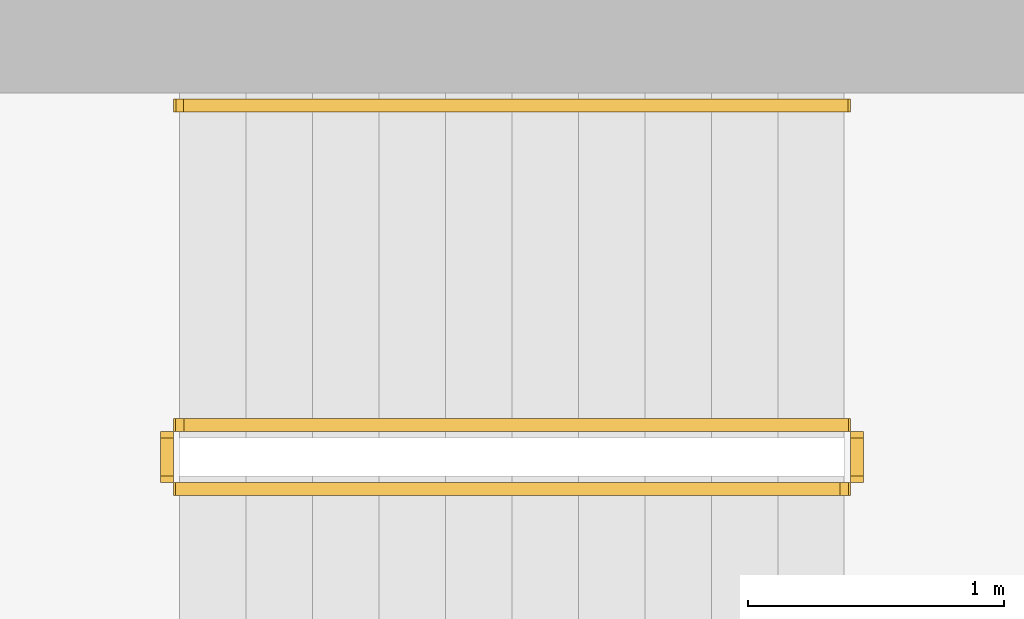
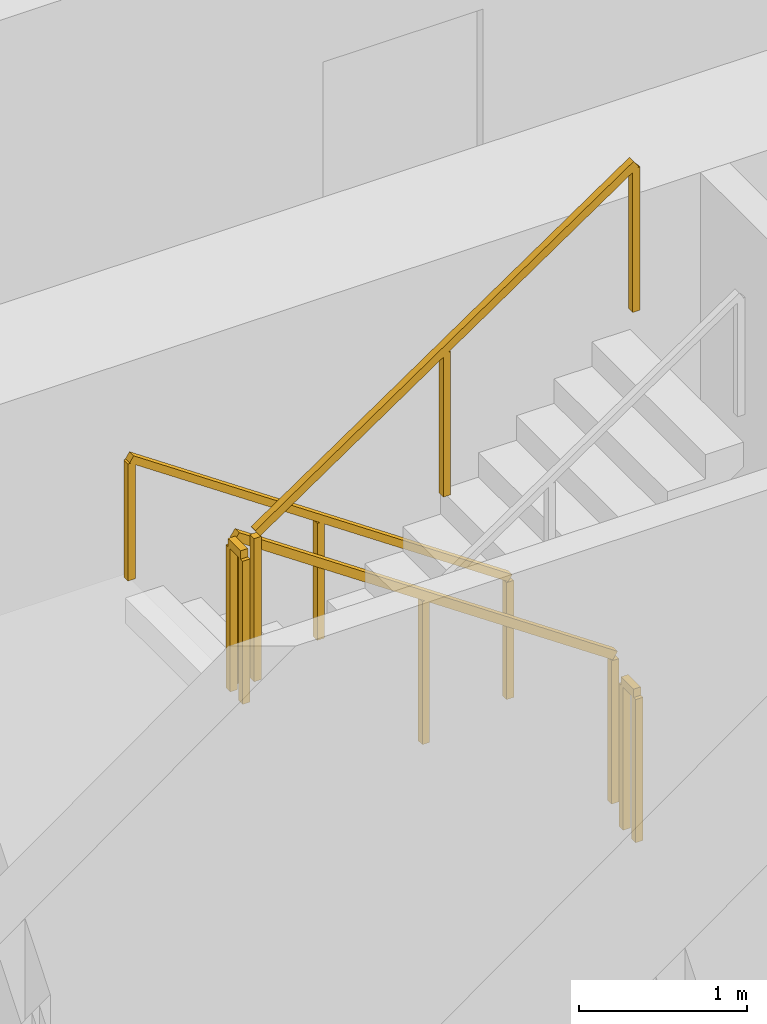
# One storey, part 14 of 15: 5 railings.
"""IFC4 building model written with IfcOpenShell, lengths in metres."""

from ifc_helpers import new_model, si_unit, direction, frame, origin, origin_2d, place, context, subcontext, project, spatial, rectangle, extrude, material, type_object, element, save


model = new_model("IFC4")

# Units and contexts
model_context = context("Model", 3, precision=1e-05, world=origin(), true_north=direction((0.0, 1.0)))
body_context = subcontext(model_context, "Body", "Model", "MODEL_VIEW")
ifc_project = project(units=[si_unit("LENGTHUNIT", "METRE"), si_unit("AREAUNIT", "SQUARE_METRE"), si_unit("VOLUMEUNIT", "CUBIC_METRE"), si_unit("PLANEANGLEUNIT", "RADIAN"), si_unit("MASSUNIT", "GRAM", prefix="KILO")], contexts=[model_context])

# Site, building, storey
site_placement = place(None, origin())
site = spatial("IfcSite", under=ifc_project, at=site_placement, CompositionType="ELEMENT")
building_placement = place(site_placement, origin())
building = spatial("IfcBuilding", under=site, at=building_placement, Name="Khepri Terraces", CompositionType="ELEMENT")
storey_placement = place(building_placement, frame((0.0, 0.0, 42.60009765625)))
storey = spatial("IfcBuildingStorey", under=building, at=storey_placement, Name="L09", CompositionType="ELEMENT", Elevation=42.60009765625)

# Railings
ifc_material = material(Name="Stainless steel 316", Category="steel")
railing_type_1 = type_object("IfcRailingType", Name="RL-CORE-GUARD", PredefinedType="GUARDRAIL", material=ifc_material)
railing_1_placement = place(storey_placement, frame((-0.25, 8.800048828125, 0.17724609375)))
element("IfcRailing", 1, at=railing_1_placement, inside=storey, type_object=railing_type_1, Name="L09 ST-3 stair guard 1", PredefinedType="GUARDRAIL", context=body_context, shape_type="SweptSolid", body=[
    extrude(rectangle(XDim=0.050048828125, YDim=0.06005859375, at=origin_2d()), frame((0.0, 0.0, 1.070068359375), z_axis=(-0.826240473404, 0.0, 0.563317565952), x_axis=(0.0, -1.0, 0.0)), (0.0, 0.0, 1.0), 3.14697265625),
    extrude(rectangle(XDim=0.050048828125, YDim=0.050048828125, at=origin_2d()), origin(), (0.0, 0.0, 1.0), 1.0400390625),
    extrude(rectangle(XDim=0.050048828125, YDim=0.050048828125, at=origin_2d()), frame((-1.300048828125, 0.0, 0.88623046875)), (0.0, 0.0, 1.0), 1.0400390625),
    extrude(rectangle(XDim=0.050048828125, YDim=0.050048828125, at=origin_2d()), frame((-2.60009765625, 0.0, 1.772705078125)), (0.0, 0.0, 1.0), 1.0400390625),
])
railing_2_placement = place(storey_placement, frame((-2.89990234375, 8.75, 1.949951171875)))
element("IfcRailing", 2, at=railing_2_placement, inside=storey, type_object=railing_type_1, Name="L09 ST-3 stair guard 2", PredefinedType="GUARDRAIL", context=body_context, shape_type="SweptSolid", body=[
    extrude(rectangle(XDim=0.050048828125, YDim=0.06005859375, at=origin_2d()), frame((0.0, 0.0, 1.070068359375), z_axis=(0.0, -1.0, 0.0), x_axis=(1.0, 0.0, 0.0)), (0.0, 0.0, 1.0), 0.14990234375),
    extrude(rectangle(XDim=0.050048828125, YDim=0.050048828125, at=origin_2d()), origin(), (0.0, 0.0, 1.0), 1.0400390625),
    extrude(rectangle(XDim=0.050048828125, YDim=0.050048828125, at=origin_2d()), frame((0.0, -0.14990234375, 0.0)), (0.0, 0.0, 1.0), 1.0400390625),
])
railing_3_placement = place(storey_placement, frame((-2.85009765625, 8.550048828125, 2.127197265625)))
element("IfcRailing", 3, at=railing_3_placement, inside=storey, type_object=railing_type_1, Name="L09 ST-3 stair guard 3", PredefinedType="GUARDRAIL", context=body_context, shape_type="SweptSolid", body=[
    extrude(rectangle(XDim=0.050048828125, YDim=0.06005859375, at=origin_2d()), frame((0.0, 0.0, 1.070068359375), z_axis=(0.826240473404, 0.0, 0.563317565952), x_axis=(0.0, 1.0, 0.0)), (0.0, 0.0, 1.0), 3.14697265625),
    extrude(rectangle(XDim=0.050048828125, YDim=0.050048828125, at=origin_2d()), origin(), (0.0, 0.0, 1.0), 1.0400390625),
    extrude(rectangle(XDim=0.050048828125, YDim=0.050048828125, at=origin_2d()), frame((1.300048828125, 0.0, 0.88623046875)), (0.0, 0.0, 1.0), 1.0400390625),
    extrude(rectangle(XDim=0.050048828125, YDim=0.050048828125, at=origin_2d()), frame((2.60009765625, 0.0, 1.772705078125)), (0.0, 0.0, 1.0), 1.0400390625),
])
railing_4_placement = place(storey_placement, frame((-0.199951171875, 8.75, 0.0)))
element("IfcRailing", 4, at=railing_4_placement, inside=storey, type_object=railing_type_1, Name="L09 ST-3 stair guard 4", PredefinedType="GUARDRAIL", context=body_context, shape_type="SweptSolid", body=[
    extrude(rectangle(XDim=0.050048828125, YDim=0.06005859375, at=origin_2d()), frame((0.0, 0.0, 1.070068359375), z_axis=(0.0, -1.0, 0.0), x_axis=(1.0, 0.0, 0.0)), (0.0, 0.0, 1.0), 0.14990234375),
    extrude(rectangle(XDim=0.050048828125, YDim=0.050048828125, at=origin_2d()), origin(), (0.0, 0.0, 1.0), 1.0400390625),
    extrude(rectangle(XDim=0.050048828125, YDim=0.050048828125, at=origin_2d()), frame((0.0, -0.14990234375, 0.0)), (0.0, 0.0, 1.0), 1.0400390625),
])
railing_type_2 = type_object("IfcRailingType", Name="RL-CORE-HANDRAIL", PredefinedType="HANDRAIL", material=ifc_material)
railing_5_placement = place(storey_placement, frame((-0.25, 10.050048828125, 0.17724609375)))
element("IfcRailing", 5, at=railing_5_placement, inside=storey, type_object=railing_type_2, Name="L09 ST-3 stair handrail 1", PredefinedType="HANDRAIL", context=body_context, shape_type="SweptSolid", body=[
    extrude(rectangle(XDim=0.050048828125, YDim=0.050048828125, at=origin_2d()), frame((0.0, 0.0, 0.875), z_axis=(-0.826240473404, 0.0, 0.563317565952), x_axis=(0.0, -1.0, 0.0)), (0.0, 0.0, 1.0), 3.14697265625),
    extrude(rectangle(XDim=0.050048828125, YDim=0.050048828125, at=origin_2d()), origin(), (0.0, 0.0, 1.0), 0.849853515625),
    extrude(rectangle(XDim=0.050048828125, YDim=0.050048828125, at=origin_2d()), frame((-1.300048828125, 0.0, 0.88623046875)), (0.0, 0.0, 1.0), 0.849853515625),
    extrude(rectangle(XDim=0.050048828125, YDim=0.050048828125, at=origin_2d()), frame((-2.60009765625, 0.0, 1.772705078125)), (0.0, 0.0, 1.0), 0.849853515625),
])

save(model, "model.ifc")
